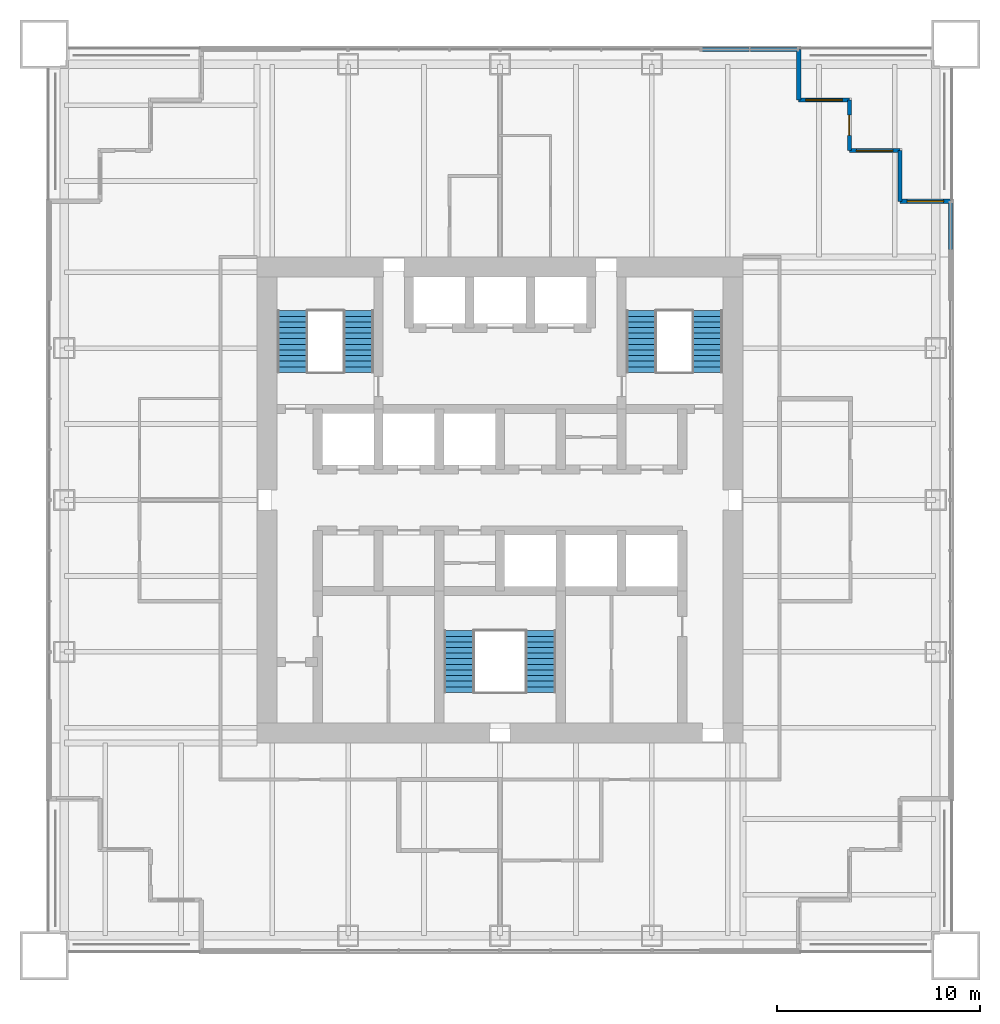
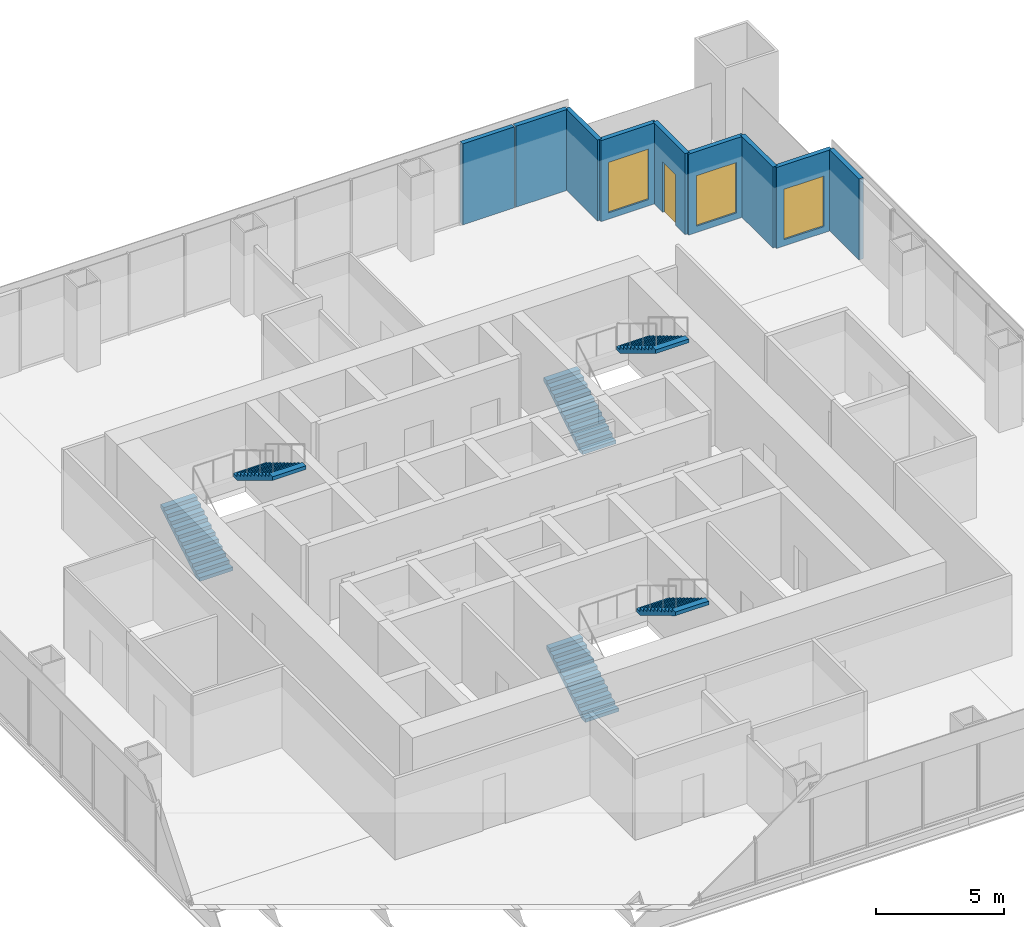
# One storey, part 11 of 13: 9 walls, 6 stair flights, 3 windows, 1 door, 4 openings, 3 elements without a shape of their own.
"""IFC4 building model written with IfcOpenShell, lengths in metres."""

from ifc_helpers import new_model, si_unit, direction, frame, frame_2d, origin, place, context, subcontext, project, spatial, polyline, rectangle, outline, extrude, material, layer, layer_set, type_object, element, fill, aggregate, save


model = new_model("IFC4")

# Units and contexts
model_context = context("Model", 3, precision=1e-05, world=origin(), true_north=direction((0.0, 1.0)))
body_context = subcontext(model_context, "Body", "Model", "MODEL_VIEW")
ifc_project = project(units=[si_unit("LENGTHUNIT", "METRE"), si_unit("AREAUNIT", "SQUARE_METRE"), si_unit("VOLUMEUNIT", "CUBIC_METRE"), si_unit("PLANEANGLEUNIT", "RADIAN"), si_unit("MASSUNIT", "GRAM", prefix="KILO")], contexts=[model_context])

# Site, building, storey
site_placement = place(None, origin())
site = spatial("IfcSite", under=ifc_project, at=site_placement, CompositionType="ELEMENT")
building_placement = place(site_placement, origin())
building = spatial("IfcBuilding", under=site, at=building_placement, Name="Tarangal Relay Tower", CompositionType="ELEMENT")
storey_placement = place(building_placement, frame((0.0, 0.0, 221.89990234375)))
storey = spatial("IfcBuildingStorey", under=building, at=storey_placement, Name="L47", CompositionType="ELEMENT", Elevation=221.89990234375)

# Wall
ifc_material_1 = material(Name="Black metal clad insulated wall", Category="steel")
ifc_layer_1 = layer(ifc_material_1, 0.199951171875)
ifc_layer_set_1 = layer_set([ifc_layer_1], Name="Corner wall metal clad 200")
wall_type_1 = type_object("IfcWallType", Name="Corner wall metal clad 200", PredefinedType="SOLIDWALL", material=ifc_layer_set_1)
wall_1_placement = place(storey_placement, frame((14.75, 22.25, 0.0), z_axis=(0.0, 0.0, 1.0), x_axis=(0.0, -1.0, 0.0)))
element("IfcWall", 1, at=wall_1_placement, inside=storey, type_object=wall_type_1, Name="Facade wall N facade L47", PredefinedType="SOLIDWALL", context=body_context, shape_type="SweptSolid", body=[
    extrude(rectangle(XDim=2.5, YDim=0.199951171875, at=frame_2d((1.25, 0.0))), origin(), (0.0, 0.0, 1.0), 3.85009765625),
])

# Wall, opening, window
wall_2_placement = place(storey_placement, frame((14.75, 19.75, 0.0), z_axis=(0.0, 0.0, 1.0), x_axis=(1.0, 0.0, 0.0)))
wall_2 = element("IfcWall", 2, at=wall_2_placement, inside=storey, type_object=wall_type_1, Name="Facade wall N facade L47", PredefinedType="SOLIDWALL", context=body_context, shape_type="SweptSolid", body=[
    extrude(rectangle(XDim=2.5, YDim=0.199951171875, at=frame_2d((1.25, 0.0))), origin(), (0.0, 0.0, 1.0), 3.85009765625),
])
opening_1_placement = place(wall_2_placement, frame((0.35009765625, 0.0, 0.300048828125)))
opening_1 = element("IfcOpeningElement", 3, at=opening_1_placement, cuts=wall_2, Name="Opening WN2", PredefinedType="OPENING", context=body_context, shape_type="SweptSolid", body=[
    extrude(rectangle(XDim=1.800048828125, YDim=2.39990234375, at=frame_2d((0.89990234375, 1.199951171875))), frame((0.0, 0.10986328125, 0.0), z_axis=(0.0, -1.0, 0.0), x_axis=(1.0, 0.0, 0.0)), (0.0, 0.0, 1.0), 0.219970703125),
])
ifc_material_2 = material(Name="Dark tinted double glazing in black aluminium frame", Category="aluminium")
window_type = type_object("IfcWindowType", Name="Corner window 1800 x 2400", PartitioningType="SINGLE_PANEL", PredefinedType="WINDOW", material=ifc_material_2)
window_1_placement = place(opening_1_placement, origin())
window_1 = element("IfcWindow", 4, at=window_1_placement, inside=storey, type_object=window_type, Name="Corner window WN2 N facade L47", OverallHeight=2.39990234375, OverallWidth=1.800048828125, PartitioningType="SINGLE_PANEL", PredefinedType="WINDOW", context=body_context, shape_type="SweptSolid", body=[
    extrude(rectangle(XDim=1.800048828125, YDim=2.39990234375, at=frame_2d((0.89990234375, 1.199951171875))), frame((0.0, 0.030029296875, 0.0), z_axis=(0.0, -1.0, 0.0), x_axis=(1.0, 0.0, 0.0)), (0.0, 0.0, 1.0), 0.06005859375),
])
fill(opening_1, window_1)

# Wall, opening, door
wall_3_placement = place(storey_placement, frame((17.25, 19.75, 0.0), z_axis=(0.0, 0.0, 1.0), x_axis=(0.0, -1.0, 0.0)))
wall_3 = element("IfcWall", 5, at=wall_3_placement, inside=storey, type_object=wall_type_1, Name="Facade wall N facade L47", PredefinedType="SOLIDWALL", context=body_context, shape_type="SweptSolid", body=[
    extrude(rectangle(XDim=2.5, YDim=0.199951171875, at=frame_2d((1.25, 0.0))), origin(), (0.0, 0.0, 1.0), 3.85009765625),
])
opening_2_placement = place(wall_3_placement, frame((0.75, 0.0, 0.0)))
opening_2 = element("IfcOpeningElement", 6, at=opening_2_placement, cuts=wall_3, Name="Opening TD1", PredefinedType="OPENING", context=body_context, shape_type="SweptSolid", body=[
    extrude(rectangle(XDim=1.0, YDim=2.39990234375, at=frame_2d((0.5, 1.199951171875))), frame((0.0, 0.10986328125, 0.0), z_axis=(0.0, -1.0, 0.0), x_axis=(1.0, 0.0, 0.0)), (0.0, 0.0, 1.0), 0.219970703125),
])
ifc_material_3 = material(Name="Aluminium glazed door", Category="aluminium")
door_type = type_object("IfcDoorType", Name="Terrace door 1000 x 2400", OperationType="SINGLE_SWING_RIGHT", PredefinedType="DOOR", material=ifc_material_3)
door_placement = place(opening_2_placement, origin())
door = element("IfcDoor", 7, at=door_placement, inside=storey, type_object=door_type, Name="Terrace door TD1 NE L47", OperationType="SINGLE_SWING_RIGHT", OverallHeight=2.39990234375, OverallWidth=1.0, PredefinedType="DOOR", context=body_context, shape_type="SweptSolid", body=[
    extrude(rectangle(XDim=1.0, YDim=2.39990234375, at=frame_2d((0.5, 1.199951171875))), frame((0.0, 0.02490234375, 0.0), z_axis=(0.0, -1.0, 0.0), x_axis=(1.0, 0.0, 0.0)), (0.0, 0.0, 1.0), 0.050048828125),
])
fill(opening_2, door)

# Wall, opening, window
wall_4_placement = place(storey_placement, frame((17.25, 17.25, 0.0), z_axis=(0.0, 0.0, 1.0), x_axis=(1.0, 0.0, 0.0)))
wall_4 = element("IfcWall", 8, at=wall_4_placement, inside=storey, type_object=wall_type_1, Name="Facade wall N facade L47", PredefinedType="SOLIDWALL", context=body_context, shape_type="SweptSolid", body=[
    extrude(rectangle(XDim=2.5, YDim=0.199951171875, at=frame_2d((1.25, 0.0))), origin(), (0.0, 0.0, 1.0), 3.85009765625),
])
opening_3_placement = place(wall_4_placement, frame((0.35009765625, 0.0, 0.300048828125)))
opening_3 = element("IfcOpeningElement", 9, at=opening_3_placement, cuts=wall_4, Name="Opening WN2", PredefinedType="OPENING", context=body_context, shape_type="SweptSolid", body=[
    extrude(rectangle(XDim=1.800048828125, YDim=2.39990234375, at=frame_2d((0.89990234375, 1.199951171875))), frame((0.0, 0.10986328125, 0.0), z_axis=(0.0, -1.0, 0.0), x_axis=(1.0, 0.0, 0.0)), (0.0, 0.0, 1.0), 0.219970703125),
])
window_2_placement = place(opening_3_placement, origin())
window_2 = element("IfcWindow", 10, at=window_2_placement, inside=storey, type_object=window_type, Name="Corner window WN2 N facade L47", OverallHeight=2.39990234375, OverallWidth=1.800048828125, PartitioningType="SINGLE_PANEL", PredefinedType="WINDOW", context=body_context, shape_type="SweptSolid", body=[
    extrude(rectangle(XDim=1.800048828125, YDim=2.39990234375, at=frame_2d((0.89990234375, 1.199951171875))), frame((0.0, 0.030029296875, 0.0), z_axis=(0.0, -1.0, 0.0), x_axis=(1.0, 0.0, 0.0)), (0.0, 0.0, 1.0), 0.06005859375),
])
fill(opening_3, window_2)

# Wall
wall_5_placement = place(storey_placement, frame((19.75, 17.25, 0.0), z_axis=(0.0, 0.0, 1.0), x_axis=(0.0, -1.0, 0.0)))
element("IfcWall", 11, at=wall_5_placement, inside=storey, type_object=wall_type_1, Name="Facade wall N facade L47", PredefinedType="SOLIDWALL", context=body_context, shape_type="SweptSolid", body=[
    extrude(rectangle(XDim=2.5, YDim=0.199951171875, at=frame_2d((1.25, 0.0))), origin(), (0.0, 0.0, 1.0), 3.85009765625),
])

# Wall, opening, window
wall_6_placement = place(storey_placement, frame((19.75, 14.75, 0.0), z_axis=(0.0, 0.0, 1.0), x_axis=(1.0, 0.0, 0.0)))
wall_6 = element("IfcWall", 12, at=wall_6_placement, inside=storey, type_object=wall_type_1, Name="Facade wall N facade L47", PredefinedType="SOLIDWALL", context=body_context, shape_type="SweptSolid", body=[
    extrude(rectangle(XDim=2.5, YDim=0.199951171875, at=frame_2d((1.25, 0.0))), origin(), (0.0, 0.0, 1.0), 3.85009765625),
])
opening_4_placement = place(wall_6_placement, frame((0.35009765625, 0.0, 0.300048828125)))
opening_4 = element("IfcOpeningElement", 13, at=opening_4_placement, cuts=wall_6, Name="Opening WN2", PredefinedType="OPENING", context=body_context, shape_type="SweptSolid", body=[
    extrude(rectangle(XDim=1.800048828125, YDim=2.39990234375, at=frame_2d((0.89990234375, 1.199951171875))), frame((0.0, 0.10986328125, 0.0), z_axis=(0.0, -1.0, 0.0), x_axis=(1.0, 0.0, 0.0)), (0.0, 0.0, 1.0), 0.219970703125),
])
window_3_placement = place(opening_4_placement, origin())
window_3 = element("IfcWindow", 14, at=window_3_placement, inside=storey, type_object=window_type, Name="Corner window WN2 N facade L47", OverallHeight=2.39990234375, OverallWidth=1.800048828125, PartitioningType="SINGLE_PANEL", PredefinedType="WINDOW", context=body_context, shape_type="SweptSolid", body=[
    extrude(rectangle(XDim=1.800048828125, YDim=2.39990234375, at=frame_2d((0.89990234375, 1.199951171875))), frame((0.0, 0.030029296875, 0.0), z_axis=(0.0, -1.0, 0.0), x_axis=(1.0, 0.0, 0.0)), (0.0, 0.0, 1.0), 0.06005859375),
])
fill(opening_4, window_3)

# Walls
ifc_layer_2 = layer(ifc_material_1, 0.199951171875)
ifc_layer_set_2 = layer_set([ifc_layer_2], Name="Facade infill wall metal clad 200")
wall_type_2 = type_object("IfcWallType", Name="Facade infill wall metal clad 200", PredefinedType="SOLIDWALL", material=ifc_layer_set_2)
for number, where, z_axis, x_axis, name in (
    (15, (9.981689453125, 22.25, 0.0), (0.0, 0.0, 1.0), (1.0, 0.0, 0.0), "Facade infill wall N facade L47 1.1"),
    (16, (12.365966796875, 22.25, 0.0), (0.0, 0.0, 1.0), (1.0, 0.0, 0.0), "Facade infill wall N facade L47 2.1"),
    (17, (22.25, 14.68505859375, 0.0), (0.0, 0.0, 1.0), (0.0, -1.0, 0.0), "Facade infill wall E facade L47 1.1"),
):
    element("IfcWall", number, at=place(storey_placement, frame(where, z_axis=z_axis, x_axis=x_axis)), inside=storey, type_object=wall_type_2, Name=name, PredefinedType="SOLIDWALL", context=body_context, shape_type="SweptSolid", body=[
        extrude(rectangle(XDim=2.319091796875, YDim=0.199951171875, at=frame_2d((1.15966796875, 0.0))), origin(), (0.0, 0.0, 1.0), 3.85009765625),
    ])

# Stair, stair flights
ifc_material_4 = material(Name="Steel ASTM A992 stair flight", Category="steel")
stair_type = type_object("IfcStairType", Name="Core stair 1500", PredefinedType="HALF_TURN_STAIR", material=ifc_material_4)
stair_1_placement = place(storey_placement, origin())
stair_1 = element("IfcStair", 18, at=stair_1_placement, inside=storey, type_object=stair_type, Name="Stair ST-A L47", PredefinedType="HALF_TURN_STAIR")
stair_flight_type = type_object("IfcStairFlightType", Name="Steel stair flight 1500, 12 risers 167 x 277", PredefinedType="STRAIGHT", material=ifc_material_4)
stair_flight_1_placement = place(storey_placement, frame((-10.25, 6.300048828125, 0.0), z_axis=(0.0, 0.0, 1.0), x_axis=(0.0, 1.0, 0.0)))
stair_flight_1 = element("IfcStairFlight", 19, at=stair_flight_1_placement, type_object=stair_flight_type, Name="ST-A flight 1", NumberOfRisers=12, NumberOfTreads=11, PredefinedType="STRAIGHT", RiserHeight=0.166666667, TreadLength=0.277, context=body_context, shape_type="SweptSolid", body=[
    extrude(outline(polyline([(0.0, 0.0), (0.0, 0.166748046875), (0.277099609375, 0.166748046875), (0.277099609375, 0.333251953125), (0.553955078125, 0.333251953125), (0.553955078125, 0.5), (0.8310546875, 0.5), (0.8310546875, 0.666748046875), (1.10791015625, 0.666748046875), (1.10791015625, 0.833251953125), (1.385009765625, 0.833251953125), (1.385009765625, 1.0), (1.662109375, 1.0), (1.662109375, 1.166748046875), (1.93896484375, 1.166748046875), (1.93896484375, 1.333251953125), (2.216064453125, 1.333251953125), (2.216064453125, 1.5), (2.492919921875, 1.5), (2.492919921875, 1.666748046875), (2.77001953125, 1.666748046875), (2.77001953125, 1.833251953125), (3.047119140625, 1.833251953125), (3.047119140625, 2.0), (3.047119140625, 1.658447265625), (0.290771484375, 0.0), (0.0, 0.0)])), frame((0.0, 0.75, 0.0), z_axis=(0.0, -1.0, 0.0), x_axis=(1.0, 0.0, 0.0)), (0.0, 0.0, 1.0), 1.5),
])
stair_flight_2_placement = place(storey_placement, frame((-6.97509765625, 9.346923828125, 2.0), z_axis=(0.0, 0.0, 1.0), x_axis=(0.0, -1.0, 0.0)))
stair_flight_2 = element("IfcStairFlight", 20, at=stair_flight_2_placement, type_object=stair_flight_type, Name="ST-A flight 2", NumberOfRisers=12, NumberOfTreads=11, PredefinedType="STRAIGHT", RiserHeight=0.166666667, TreadLength=0.277, context=body_context, shape_type="SweptSolid", body=[
    extrude(outline(polyline([(0.0, 0.0), (0.0, 0.166748046875), (0.277099609375, 0.166748046875), (0.277099609375, 0.333251953125), (0.553955078125, 0.333251953125), (0.553955078125, 0.5), (0.8310546875, 0.5), (0.8310546875, 0.666748046875), (1.10791015625, 0.666748046875), (1.10791015625, 0.833251953125), (1.385009765625, 0.833251953125), (1.385009765625, 1.0), (1.662109375, 1.0), (1.662109375, 1.166748046875), (1.93896484375, 1.166748046875), (1.93896484375, 1.333251953125), (2.216064453125, 1.333251953125), (2.216064453125, 1.5), (2.492919921875, 1.5), (2.492919921875, 1.666748046875), (2.77001953125, 1.666748046875), (2.77001953125, 1.833251953125), (3.047119140625, 1.833251953125), (3.047119140625, 2.0), (3.047119140625, 1.658447265625), (0.290771484375, 0.0), (0.0, 0.0)])), frame((0.0, 0.75, 0.0), z_axis=(0.0, -1.0, 0.0), x_axis=(1.0, 0.0, 0.0)), (0.0, 0.0, 1.0), 1.5),
])
aggregate(stair_1, [stair_flight_1, stair_flight_2])

stair_2_placement = place(storey_placement, origin())
stair_2 = element("IfcStair", 21, at=stair_2_placement, inside=storey, type_object=stair_type, Name="Stair ST-B L47", PredefinedType="HALF_TURN_STAIR")
stair_flight_3_placement = place(storey_placement, frame((6.97509765625, 6.300048828125, 0.0), z_axis=(0.0, 0.0, 1.0), x_axis=(0.0, 1.0, 0.0)))
stair_flight_3 = element("IfcStairFlight", 22, at=stair_flight_3_placement, type_object=stair_flight_type, Name="ST-B flight 1", NumberOfRisers=12, NumberOfTreads=11, PredefinedType="STRAIGHT", RiserHeight=0.166666667, TreadLength=0.277, context=body_context, shape_type="SweptSolid", body=[
    extrude(outline(polyline([(0.0, 0.0), (0.0, 0.166748046875), (0.277099609375, 0.166748046875), (0.277099609375, 0.333251953125), (0.553955078125, 0.333251953125), (0.553955078125, 0.5), (0.8310546875, 0.5), (0.8310546875, 0.666748046875), (1.10791015625, 0.666748046875), (1.10791015625, 0.833251953125), (1.385009765625, 0.833251953125), (1.385009765625, 1.0), (1.662109375, 1.0), (1.662109375, 1.166748046875), (1.93896484375, 1.166748046875), (1.93896484375, 1.333251953125), (2.216064453125, 1.333251953125), (2.216064453125, 1.5), (2.492919921875, 1.5), (2.492919921875, 1.666748046875), (2.77001953125, 1.666748046875), (2.77001953125, 1.833251953125), (3.047119140625, 1.833251953125), (3.047119140625, 2.0), (3.047119140625, 1.658447265625), (0.290771484375, 0.0), (0.0, 0.0)])), frame((0.0, 0.75, 0.0), z_axis=(0.0, -1.0, 0.0), x_axis=(1.0, 0.0, 0.0)), (0.0, 0.0, 1.0), 1.5),
])
stair_flight_4_placement = place(storey_placement, frame((10.25, 9.346923828125, 2.0), z_axis=(0.0, 0.0, 1.0), x_axis=(0.0, -1.0, 0.0)))
stair_flight_4 = element("IfcStairFlight", 23, at=stair_flight_4_placement, type_object=stair_flight_type, Name="ST-B flight 2", NumberOfRisers=12, NumberOfTreads=11, PredefinedType="STRAIGHT", RiserHeight=0.166666667, TreadLength=0.277, context=body_context, shape_type="SweptSolid", body=[
    extrude(outline(polyline([(0.0, 0.0), (0.0, 0.166748046875), (0.277099609375, 0.166748046875), (0.277099609375, 0.333251953125), (0.553955078125, 0.333251953125), (0.553955078125, 0.5), (0.8310546875, 0.5), (0.8310546875, 0.666748046875), (1.10791015625, 0.666748046875), (1.10791015625, 0.833251953125), (1.385009765625, 0.833251953125), (1.385009765625, 1.0), (1.662109375, 1.0), (1.662109375, 1.166748046875), (1.93896484375, 1.166748046875), (1.93896484375, 1.333251953125), (2.216064453125, 1.333251953125), (2.216064453125, 1.5), (2.492919921875, 1.5), (2.492919921875, 1.666748046875), (2.77001953125, 1.666748046875), (2.77001953125, 1.833251953125), (3.047119140625, 1.833251953125), (3.047119140625, 2.0), (3.047119140625, 1.658447265625), (0.290771484375, 0.0), (0.0, 0.0)])), frame((0.0, 0.75, 0.0), z_axis=(0.0, -1.0, 0.0), x_axis=(1.0, 0.0, 0.0)), (0.0, 0.0, 1.0), 1.5),
])
aggregate(stair_2, [stair_flight_3, stair_flight_4])

stair_3_placement = place(storey_placement, origin())
stair_3 = element("IfcStair", 24, at=stair_3_placement, inside=storey, type_object=stair_type, Name="Stair ST-C L47", PredefinedType="HALF_TURN_STAIR")
stair_flight_5_placement = place(storey_placement, frame((-2.02490234375, -9.5, 0.0), z_axis=(0.0, 0.0, 1.0), x_axis=(0.0, 1.0, 0.0)))
stair_flight_5 = element("IfcStairFlight", 25, at=stair_flight_5_placement, type_object=stair_flight_type, Name="ST-C flight 1", NumberOfRisers=12, NumberOfTreads=11, PredefinedType="STRAIGHT", RiserHeight=0.166666667, TreadLength=0.277, context=body_context, shape_type="SweptSolid", body=[
    extrude(outline(polyline([(0.0, 0.0), (0.0, 0.166748046875), (0.277099609375, 0.166748046875), (0.277099609375, 0.333251953125), (0.553955078125, 0.333251953125), (0.553955078125, 0.5), (0.8310546875, 0.5), (0.8310546875, 0.666748046875), (1.10791015625, 0.666748046875), (1.10791015625, 0.833251953125), (1.385009765625, 0.833251953125), (1.385009765625, 1.0), (1.662109375, 1.0), (1.662109375, 1.166748046875), (1.93896484375, 1.166748046875), (1.93896484375, 1.333251953125), (2.216064453125, 1.333251953125), (2.216064453125, 1.5), (2.492919921875, 1.5), (2.492919921875, 1.666748046875), (2.77001953125, 1.666748046875), (2.77001953125, 1.833251953125), (3.047119140625, 1.833251953125), (3.047119140625, 2.0), (3.047119140625, 1.658447265625), (0.290771484375, 0.0), (0.0, 0.0)])), frame((0.0, 0.75, 0.0), z_axis=(0.0, -1.0, 0.0), x_axis=(1.0, 0.0, 0.0)), (0.0, 0.0, 1.0), 1.5),
])
stair_flight_6_placement = place(storey_placement, frame((2.02490234375, -6.452880859375, 2.0), z_axis=(0.0, 0.0, 1.0), x_axis=(0.0, -1.0, 0.0)))
stair_flight_6 = element("IfcStairFlight", 26, at=stair_flight_6_placement, type_object=stair_flight_type, Name="ST-C flight 2", NumberOfRisers=12, NumberOfTreads=11, PredefinedType="STRAIGHT", RiserHeight=0.166666667, TreadLength=0.277, context=body_context, shape_type="SweptSolid", body=[
    extrude(outline(polyline([(0.0, 0.0), (0.0, 0.166748046875), (0.277099609375, 0.166748046875), (0.277099609375, 0.333251953125), (0.553955078125, 0.333251953125), (0.553955078125, 0.5), (0.8310546875, 0.5), (0.8310546875, 0.666748046875), (1.10791015625, 0.666748046875), (1.10791015625, 0.833251953125), (1.385009765625, 0.833251953125), (1.385009765625, 1.0), (1.662109375, 1.0), (1.662109375, 1.166748046875), (1.93896484375, 1.166748046875), (1.93896484375, 1.333251953125), (2.216064453125, 1.333251953125), (2.216064453125, 1.5), (2.492919921875, 1.5), (2.492919921875, 1.666748046875), (2.77001953125, 1.666748046875), (2.77001953125, 1.833251953125), (3.047119140625, 1.833251953125), (3.047119140625, 2.0), (3.047119140625, 1.658447265625), (0.290771484375, 0.0), (0.0, 0.0)])), frame((0.0, 0.75, 0.0), z_axis=(0.0, -1.0, 0.0), x_axis=(1.0, 0.0, 0.0)), (0.0, 0.0, 1.0), 1.5),
])
aggregate(stair_3, [stair_flight_5, stair_flight_6])

save(model, "model.ifc")
